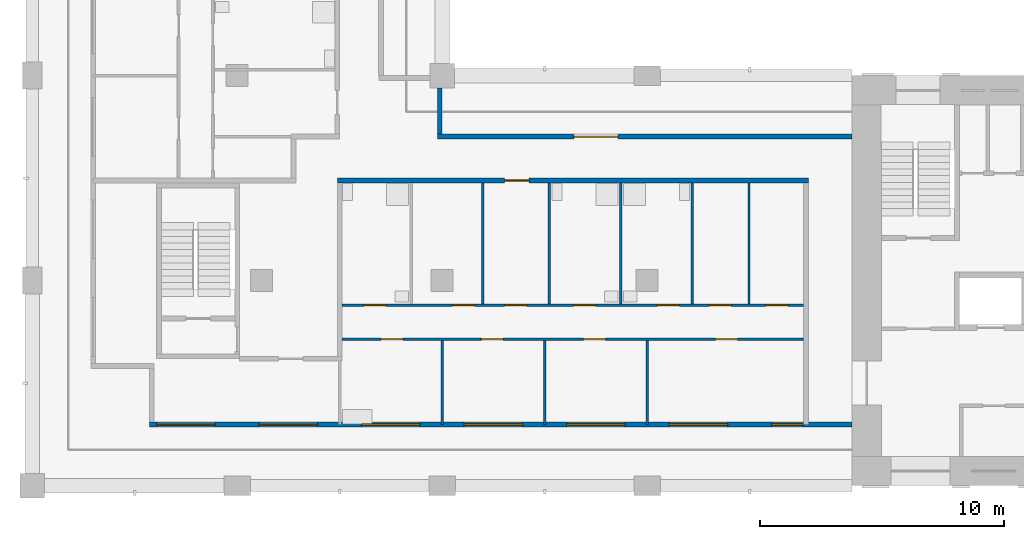
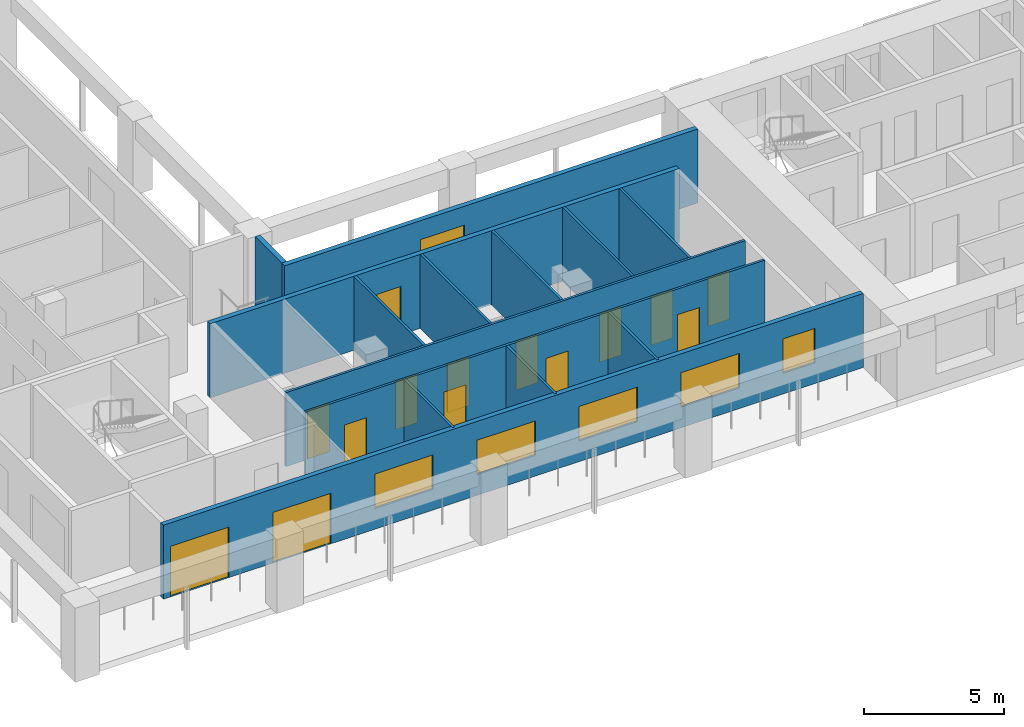
# One storey, part 2 of 10: 15 doors, 14 walls, 5 windows, 20 openings.
"""IFC4 building model written with IfcOpenShell, lengths in metres."""

from ifc_helpers import new_model, si_unit, direction, frame, frame_2d, origin, place, context, subcontext, project, spatial, rectangle, extrude, material, layer, layer_set, type_object, element, fill, save


model = new_model("IFC4")

# Units and contexts
model_context = context("Model", 3, precision=1e-05, world=origin(), true_north=direction((0.0, 1.0)))
body_context = subcontext(model_context, "Body", "Model", "MODEL_VIEW")
ifc_project = project(units=[si_unit("LENGTHUNIT", "METRE"), si_unit("AREAUNIT", "SQUARE_METRE"), si_unit("VOLUMEUNIT", "CUBIC_METRE"), si_unit("PLANEANGLEUNIT", "RADIAN"), si_unit("MASSUNIT", "GRAM", prefix="KILO")], contexts=[model_context])

# Site, building, storey
site_placement = place(None, origin())
site = spatial("IfcSite", under=ifc_project, at=site_placement, CompositionType="ELEMENT")
building_placement = place(site_placement, origin())
building = spatial("IfcBuilding", under=site, at=building_placement, Name="Vermilion Gate Residences", CompositionType="ELEMENT")
storey_placement = place(building_placement, frame((0.0, 0.0, 266.699951171875)))
storey = spatial("IfcBuildingStorey", under=building, at=storey_placement, Name="L70", CompositionType="ELEMENT", Elevation=266.699951171875)

# Wall, openings, doors, windows
ifc_material_1 = material(Name="Insulated steel stud wall with terracotta rainscreen", Category="masonry")
ifc_layer_1 = layer(ifc_material_1, 0.199951171875)
ifc_layer_set_1 = layer_set([ifc_layer_1], Name="EXTERNAL WALL 200 TERRACOTTA RAINSCREEN")
wall_type_1 = type_object("IfcWallType", Name="EXTERNAL WALL 200 TERRACOTTA RAINSCREEN", PredefinedType="SOLIDWALL", material=ifc_layer_set_1)
wall_1_placement = place(storey_placement, frame((13.199951171875, 10.89990234375, 0.0), z_axis=(0.0, 0.0, 1.0), x_axis=(1.0, 0.0, 0.0)))
wall_1 = element("IfcWall", 1, at=wall_1_placement, inside=storey, type_object=wall_type_1, Name="External wall", PredefinedType="SOLIDWALL", context=body_context, shape_type="SweptSolid", body=[
    extrude(rectangle(XDim=28.800048828125, YDim=0.199951171875, at=frame_2d((14.39990234375, 0.0))), origin(), (0.0, 0.0, 1.0), 3.219970703125),
])
opening_1_placement = place(wall_1_placement, frame((0.300048828125, 0.0, 0.0)))
opening_1 = element("IfcOpeningElement", 2, at=opening_1_placement, cuts=wall_1, Name="Opening DE70008", PredefinedType="OPENING", context=body_context, shape_type="SweptSolid", body=[
    extrude(rectangle(XDim=2.39990234375, YDim=2.199951171875, at=frame_2d((1.199951171875, 1.10009765625))), frame((0.0, 0.10986328125, 0.0), z_axis=(0.0, -1.0, 0.0), x_axis=(1.0, 0.0, 0.0)), (0.0, 0.0, 1.0), 0.219970703125),
])
opening_2_placement = place(wall_1_placement, frame((4.5, 0.0, 0.0)))
opening_2 = element("IfcOpeningElement", 3, at=opening_2_placement, cuts=wall_1, Name="Opening DE70009", PredefinedType="OPENING", context=body_context, shape_type="SweptSolid", body=[
    extrude(rectangle(XDim=2.39990234375, YDim=2.199951171875, at=frame_2d((1.199951171875, 1.10009765625))), frame((0.0, 0.10986328125, 0.0), z_axis=(0.0, -1.0, 0.0), x_axis=(1.0, 0.0, 0.0)), (0.0, 0.0, 1.0), 0.219970703125),
])
opening_3_placement = place(wall_1_placement, frame((8.699951171875, 0.0, 0.89990234375)))
opening_3 = element("IfcOpeningElement", 4, at=opening_3_placement, cuts=wall_1, Name="Opening WE70010", PredefinedType="OPENING", context=body_context, shape_type="SweptSolid", body=[
    extrude(rectangle(XDim=2.39990234375, YDim=1.5, at=frame_2d((1.199951171875, 0.75))), frame((0.0, 0.10986328125, 0.0), z_axis=(0.0, -1.0, 0.0), x_axis=(1.0, 0.0, 0.0)), (0.0, 0.0, 1.0), 0.219970703125),
])
opening_4_placement = place(wall_1_placement, frame((12.89990234375, 0.0, 0.89990234375)))
opening_4 = element("IfcOpeningElement", 5, at=opening_4_placement, cuts=wall_1, Name="Opening WE70011", PredefinedType="OPENING", context=body_context, shape_type="SweptSolid", body=[
    extrude(rectangle(XDim=2.39990234375, YDim=1.5, at=frame_2d((1.199951171875, 0.75))), frame((0.0, 0.10986328125, 0.0), z_axis=(0.0, -1.0, 0.0), x_axis=(1.0, 0.0, 0.0)), (0.0, 0.0, 1.0), 0.219970703125),
])
opening_5_placement = place(wall_1_placement, frame((17.10009765625, 0.0, 0.89990234375)))
opening_5 = element("IfcOpeningElement", 6, at=opening_5_placement, cuts=wall_1, Name="Opening WE70012", PredefinedType="OPENING", context=body_context, shape_type="SweptSolid", body=[
    extrude(rectangle(XDim=2.39990234375, YDim=1.5, at=frame_2d((1.199951171875, 0.75))), frame((0.0, 0.10986328125, 0.0), z_axis=(0.0, -1.0, 0.0), x_axis=(1.0, 0.0, 0.0)), (0.0, 0.0, 1.0), 0.219970703125),
])
opening_6_placement = place(wall_1_placement, frame((21.300048828125, 0.0, 0.89990234375)))
opening_6 = element("IfcOpeningElement", 7, at=opening_6_placement, cuts=wall_1, Name="Opening WE70013", PredefinedType="OPENING", context=body_context, shape_type="SweptSolid", body=[
    extrude(rectangle(XDim=2.39990234375, YDim=1.5, at=frame_2d((1.199951171875, 0.75))), frame((0.0, 0.10986328125, 0.0), z_axis=(0.0, -1.0, 0.0), x_axis=(1.0, 0.0, 0.0)), (0.0, 0.0, 1.0), 0.219970703125),
])
opening_7_placement = place(wall_1_placement, frame((25.5, 0.0, 0.89990234375)))
opening_7 = element("IfcOpeningElement", 8, at=opening_7_placement, cuts=wall_1, Name="Opening WE70014", PredefinedType="OPENING", context=body_context, shape_type="SweptSolid", body=[
    extrude(rectangle(XDim=1.300048828125, YDim=1.5, at=frame_2d((0.64990234375, 0.75))), frame((0.0, 0.10986328125, 0.0), z_axis=(0.0, -1.0, 0.0), x_axis=(1.0, 0.0, 0.0)), (0.0, 0.0, 1.0), 0.219970703125),
])
ifc_material_2 = material(Name="Aluminium and clear glass", Category="aluminium")
door_type_1 = type_object("IfcDoorType", Name="SLIDING GLAZED DOOR 2400 X 2200", OperationType="DOUBLE_DOOR_SLIDING", PredefinedType="DOOR", material=ifc_material_2)
door_1_placement = place(opening_1_placement, origin())
door_1 = element("IfcDoor", 9, at=door_1_placement, inside=storey, type_object=door_type_1, Name="Loggia sliding door", OperationType="DOUBLE_DOOR_SLIDING", OverallHeight=2.199951171875, OverallWidth=2.39990234375, PredefinedType="DOOR", context=body_context, shape_type="SweptSolid", body=[
    extrude(rectangle(XDim=2.39990234375, YDim=2.199951171875, at=frame_2d((1.199951171875, 1.10009765625))), frame((0.0, 0.02490234375, 0.0), z_axis=(0.0, -1.0, 0.0), x_axis=(1.0, 0.0, 0.0)), (0.0, 0.0, 1.0), 0.050048828125),
])
fill(opening_1, door_1)
door_2_placement = place(opening_2_placement, origin())
door_2 = element("IfcDoor", 10, at=door_2_placement, inside=storey, type_object=door_type_1, Name="Loggia sliding door", OperationType="DOUBLE_DOOR_SLIDING", OverallHeight=2.199951171875, OverallWidth=2.39990234375, PredefinedType="DOOR", context=body_context, shape_type="SweptSolid", body=[
    extrude(rectangle(XDim=2.39990234375, YDim=2.199951171875, at=frame_2d((1.199951171875, 1.10009765625))), frame((0.0, 0.02490234375, 0.0), z_axis=(0.0, -1.0, 0.0), x_axis=(1.0, 0.0, 0.0)), (0.0, 0.0, 1.0), 0.050048828125),
])
fill(opening_2, door_2)
ifc_material_3 = material(Name="Aluminium and clear glass", Category="aluminium")
window_type_1 = type_object("IfcWindowType", Name="WINDOW 1300 X 1500", PartitioningType="SINGLE_PANEL", PredefinedType="WINDOW", material=ifc_material_3)
window_1_placement = place(opening_7_placement, origin())
window_1 = element("IfcWindow", 11, at=window_1_placement, inside=storey, type_object=window_type_1, Name="Window", OverallHeight=1.5, OverallWidth=1.300048828125, PartitioningType="SINGLE_PANEL", PredefinedType="WINDOW", context=body_context, shape_type="SweptSolid", body=[
    extrude(rectangle(XDim=1.300048828125, YDim=1.5, at=frame_2d((0.64990234375, 0.75))), frame((0.0, 0.030029296875, 0.0), z_axis=(0.0, -1.0, 0.0), x_axis=(1.0, 0.0, 0.0)), (0.0, 0.0, 1.0), 0.06005859375),
])
fill(opening_7, window_1)
ifc_material_4 = material(Name="Aluminium and clear glass", Category="aluminium")
window_type_2 = type_object("IfcWindowType", Name="WINDOW 2400 X 1500", PartitioningType="SINGLE_PANEL", PredefinedType="WINDOW", material=ifc_material_4)
window_2_placement = place(opening_3_placement, origin())
window_2 = element("IfcWindow", 12, at=window_2_placement, inside=storey, type_object=window_type_2, Name="Window", OverallHeight=1.5, OverallWidth=2.39990234375, PartitioningType="SINGLE_PANEL", PredefinedType="WINDOW", context=body_context, shape_type="SweptSolid", body=[
    extrude(rectangle(XDim=2.39990234375, YDim=1.5, at=frame_2d((1.199951171875, 0.75))), frame((0.0, 0.030029296875, 0.0), z_axis=(0.0, -1.0, 0.0), x_axis=(1.0, 0.0, 0.0)), (0.0, 0.0, 1.0), 0.06005859375),
])
fill(opening_3, window_2)
window_3_placement = place(opening_4_placement, origin())
window_3 = element("IfcWindow", 13, at=window_3_placement, inside=storey, type_object=window_type_2, Name="Window", OverallHeight=1.5, OverallWidth=2.39990234375, PartitioningType="SINGLE_PANEL", PredefinedType="WINDOW", context=body_context, shape_type="SweptSolid", body=[
    extrude(rectangle(XDim=2.39990234375, YDim=1.5, at=frame_2d((1.199951171875, 0.75))), frame((0.0, 0.030029296875, 0.0), z_axis=(0.0, -1.0, 0.0), x_axis=(1.0, 0.0, 0.0)), (0.0, 0.0, 1.0), 0.06005859375),
])
fill(opening_4, window_3)
window_4_placement = place(opening_5_placement, origin())
window_4 = element("IfcWindow", 14, at=window_4_placement, inside=storey, type_object=window_type_2, Name="Window", OverallHeight=1.5, OverallWidth=2.39990234375, PartitioningType="SINGLE_PANEL", PredefinedType="WINDOW", context=body_context, shape_type="SweptSolid", body=[
    extrude(rectangle(XDim=2.39990234375, YDim=1.5, at=frame_2d((1.199951171875, 0.75))), frame((0.0, 0.030029296875, 0.0), z_axis=(0.0, -1.0, 0.0), x_axis=(1.0, 0.0, 0.0)), (0.0, 0.0, 1.0), 0.06005859375),
])
fill(opening_5, window_4)
window_5_placement = place(opening_6_placement, origin())
window_5 = element("IfcWindow", 15, at=window_5_placement, inside=storey, type_object=window_type_2, Name="Window", OverallHeight=1.5, OverallWidth=2.39990234375, PartitioningType="SINGLE_PANEL", PredefinedType="WINDOW", context=body_context, shape_type="SweptSolid", body=[
    extrude(rectangle(XDim=2.39990234375, YDim=1.5, at=frame_2d((1.199951171875, 0.75))), frame((0.0, 0.030029296875, 0.0), z_axis=(0.0, -1.0, 0.0), x_axis=(1.0, 0.0, 0.0)), (0.0, 0.0, 1.0), 0.06005859375),
])
fill(opening_6, window_5)

# Wall, opening, door
wall_2_placement = place(storey_placement, frame((42.0, 22.699951171875, 0.0), z_axis=(0.0, 0.0, 1.0), x_axis=(-1.0, 0.0, 0.0)))
wall_2 = element("IfcWall", 16, at=wall_2_placement, inside=storey, type_object=wall_type_1, Name="External wall", PredefinedType="SOLIDWALL", context=body_context, shape_type="SweptSolid", body=[
    extrude(rectangle(XDim=17.0, YDim=0.199951171875, at=frame_2d((8.5, 0.0))), origin(), (0.0, 0.0, 1.0), 3.219970703125),
])
opening_8_placement = place(wall_2_placement, frame((9.60009765625, 0.0, 0.0)))
opening_8 = element("IfcOpeningElement", 17, at=opening_8_placement, cuts=wall_2, Name="Opening DE70015", PredefinedType="OPENING", context=body_context, shape_type="SweptSolid", body=[
    extrude(rectangle(XDim=1.800048828125, YDim=2.39990234375, at=frame_2d((0.89990234375, 1.199951171875))), frame((0.0, 0.10986328125, 0.0), z_axis=(0.0, -1.0, 0.0), x_axis=(1.0, 0.0, 0.0)), (0.0, 0.0, 1.0), 0.219970703125),
])
ifc_material_5 = material(Name="Aluminium and clear glass", Category="aluminium")
door_type_2 = type_object("IfcDoorType", Name="GLAZED EXTERNAL DOOR 1800 X 2400", OperationType="DOUBLE_DOOR_SINGLE_SWING", PredefinedType="DOOR", material=ifc_material_5)
door_3_placement = place(opening_8_placement, frame((1.800048828125, 0.0, 0.0), z_axis=(0.0, 0.0, 1.0), x_axis=(-1.0, 0.0, 0.0)))
door_3 = element("IfcDoor", 18, at=door_3_placement, inside=storey, type_object=door_type_2, Name="Gallery door", OperationType="DOUBLE_DOOR_SINGLE_SWING", OverallHeight=2.39990234375, OverallWidth=1.800048828125, PredefinedType="DOOR", context=body_context, shape_type="SweptSolid", body=[
    extrude(rectangle(XDim=1.800048828125, YDim=2.39990234375, at=frame_2d((0.89990234375, 1.199951171875))), frame((0.0, 0.02490234375, 0.0), z_axis=(0.0, -1.0, 0.0), x_axis=(1.0, 0.0, 0.0)), (0.0, 0.0, 1.0), 0.050048828125),
])
fill(opening_8, door_3)

# Wall
wall_3_placement = place(storey_placement, frame((25.10009765625, 22.800048828125, 0.0), z_axis=(0.0, 0.0, 1.0), x_axis=(0.0, 1.0, 0.0)))
element("IfcWall", 19, at=wall_3_placement, inside=storey, type_object=wall_type_1, Name="External wall", PredefinedType="SOLIDWALL", context=body_context, shape_type="SweptSolid", body=[
    extrude(rectangle(XDim=1.89990234375, YDim=0.199951171875, at=frame_2d((0.949951171875, 0.0))), origin(), (0.0, 0.0, 1.0), 3.219970703125),
])

# Wall, openings, doors
ifc_material_6 = material(Name="Plasterboard on steel studs", Category="steel")
ifc_layer_2 = layer(ifc_material_6, 0.10009765625)
ifc_layer_set_2 = layer_set([ifc_layer_2], Name="PARTITION 100")
wall_type_2 = type_object("IfcWallType", Name="PARTITION 100", PredefinedType="PARTITIONING", material=ifc_layer_set_2)
wall_4_placement = place(storey_placement, frame((21.10009765625, 14.39990234375, 0.0), z_axis=(0.0, 0.0, 1.0), x_axis=(1.0, 0.0, 0.0)))
wall_4 = element("IfcWall", 20, at=wall_4_placement, inside=storey, type_object=wall_type_2, Name="Partition", PredefinedType="PARTITIONING", context=body_context, shape_type="SweptSolid", body=[
    extrude(rectangle(XDim=18.89990234375, YDim=0.10009765625, at=frame_2d((9.449951171875, 0.0))), origin(), (0.0, 0.0, 1.0), 3.219970703125),
])
opening_9_placement = place(wall_4_placement, frame((1.60009765625, 0.0, 0.0)))
opening_9 = element("IfcOpeningElement", 21, at=opening_9_placement, cuts=wall_4, Name="Opening DA70002", PredefinedType="OPENING", context=body_context, shape_type="SweptSolid", body=[
    extrude(rectangle(XDim=0.89990234375, YDim=2.10009765625, at=frame_2d((0.449951171875, 1.050048828125))), frame((0.0, 0.06005859375, 0.0), z_axis=(0.0, -1.0, 0.0), x_axis=(1.0, 0.0, 0.0)), (0.0, 0.0, 1.0), 0.1201171875),
])
opening_10_placement = place(wall_4_placement, frame((5.699951171875, 0.0, 0.0)))
opening_10 = element("IfcOpeningElement", 22, at=opening_10_placement, cuts=wall_4, Name="Opening DA70003", PredefinedType="OPENING", context=body_context, shape_type="SweptSolid", body=[
    extrude(rectangle(XDim=0.89990234375, YDim=2.10009765625, at=frame_2d((0.449951171875, 1.050048828125))), frame((0.0, 0.06005859375, 0.0), z_axis=(0.0, -1.0, 0.0), x_axis=(1.0, 0.0, 0.0)), (0.0, 0.0, 1.0), 0.1201171875),
])
opening_11_placement = place(wall_4_placement, frame((9.89990234375, 0.0, 0.0)))
opening_11 = element("IfcOpeningElement", 23, at=opening_11_placement, cuts=wall_4, Name="Opening DA70004", PredefinedType="OPENING", context=body_context, shape_type="SweptSolid", body=[
    extrude(rectangle(XDim=0.89990234375, YDim=2.10009765625, at=frame_2d((0.449951171875, 1.050048828125))), frame((0.0, 0.06005859375, 0.0), z_axis=(0.0, -1.0, 0.0), x_axis=(1.0, 0.0, 0.0)), (0.0, 0.0, 1.0), 0.1201171875),
])
opening_12_placement = place(wall_4_placement, frame((15.300048828125, 0.0, 0.0)))
opening_12 = element("IfcOpeningElement", 24, at=opening_12_placement, cuts=wall_4, Name="Opening DA70005", PredefinedType="OPENING", context=body_context, shape_type="SweptSolid", body=[
    extrude(rectangle(XDim=0.89990234375, YDim=2.10009765625, at=frame_2d((0.449951171875, 1.050048828125))), frame((0.0, 0.06005859375, 0.0), z_axis=(0.0, -1.0, 0.0), x_axis=(1.0, 0.0, 0.0)), (0.0, 0.0, 1.0), 0.1201171875),
])
ifc_material_7 = material(Name="Timber", Category="wood")
door_type_3 = type_object("IfcDoorType", Name="INTERIOR DOOR 900 X 2100", OperationType="SINGLE_SWING_LEFT", PredefinedType="DOOR", material=ifc_material_7)
door_4_placement = place(opening_9_placement, frame((0.89990234375, 0.0, 0.0), z_axis=(0.0, 0.0, 1.0), x_axis=(-1.0, 0.0, 0.0)))
door_4 = element("IfcDoor", 25, at=door_4_placement, inside=storey, type_object=door_type_3, Name="Interior door", OperationType="SINGLE_SWING_LEFT", OverallHeight=2.10009765625, OverallWidth=0.89990234375, PredefinedType="DOOR", context=body_context, shape_type="SweptSolid", body=[
    extrude(rectangle(XDim=0.89990234375, YDim=2.10009765625, at=frame_2d((0.449951171875, 1.050048828125))), frame((0.0, 0.02490234375, 0.0), z_axis=(0.0, -1.0, 0.0), x_axis=(1.0, 0.0, 0.0)), (0.0, 0.0, 1.0), 0.050048828125),
])
fill(opening_9, door_4)
door_5_placement = place(opening_10_placement, frame((0.89990234375, 0.0, 0.0), z_axis=(0.0, 0.0, 1.0), x_axis=(-1.0, 0.0, 0.0)))
door_5 = element("IfcDoor", 26, at=door_5_placement, inside=storey, type_object=door_type_3, Name="Interior door", OperationType="SINGLE_SWING_RIGHT", OverallHeight=2.10009765625, OverallWidth=0.89990234375, PredefinedType="DOOR", context=body_context, shape_type="SweptSolid", body=[
    extrude(rectangle(XDim=0.89990234375, YDim=2.10009765625, at=frame_2d((0.449951171875, 1.050048828125))), frame((0.0, 0.02490234375, 0.0), z_axis=(0.0, -1.0, 0.0), x_axis=(1.0, 0.0, 0.0)), (0.0, 0.0, 1.0), 0.050048828125),
])
fill(opening_10, door_5)
door_6_placement = place(opening_11_placement, frame((0.89990234375, 0.0, 0.0), z_axis=(0.0, 0.0, 1.0), x_axis=(-1.0, 0.0, 0.0)))
door_6 = element("IfcDoor", 27, at=door_6_placement, inside=storey, type_object=door_type_3, Name="Interior door", OperationType="SINGLE_SWING_RIGHT", OverallHeight=2.10009765625, OverallWidth=0.89990234375, PredefinedType="DOOR", context=body_context, shape_type="SweptSolid", body=[
    extrude(rectangle(XDim=0.89990234375, YDim=2.10009765625, at=frame_2d((0.449951171875, 1.050048828125))), frame((0.0, 0.02490234375, 0.0), z_axis=(0.0, -1.0, 0.0), x_axis=(1.0, 0.0, 0.0)), (0.0, 0.0, 1.0), 0.050048828125),
])
fill(opening_11, door_6)
door_7_placement = place(opening_12_placement, frame((0.89990234375, 0.0, 0.0), z_axis=(0.0, 0.0, 1.0), x_axis=(-1.0, 0.0, 0.0)))
door_7 = element("IfcDoor", 28, at=door_7_placement, inside=storey, type_object=door_type_3, Name="Interior door", OperationType="SINGLE_SWING_LEFT", OverallHeight=2.10009765625, OverallWidth=0.89990234375, PredefinedType="DOOR", context=body_context, shape_type="SweptSolid", body=[
    extrude(rectangle(XDim=0.89990234375, YDim=2.10009765625, at=frame_2d((0.449951171875, 1.050048828125))), frame((0.0, 0.02490234375, 0.0), z_axis=(0.0, -1.0, 0.0), x_axis=(1.0, 0.0, 0.0)), (0.0, 0.0, 1.0), 0.050048828125),
])
fill(opening_12, door_7)

wall_5_placement = place(storey_placement, frame((21.10009765625, 15.800048828125, 0.0), z_axis=(0.0, 0.0, 1.0), x_axis=(1.0, 0.0, 0.0)))
wall_5 = element("IfcWall", 29, at=wall_5_placement, inside=storey, type_object=wall_type_2, Name="Partition", PredefinedType="PARTITIONING", context=body_context, shape_type="SweptSolid", body=[
    extrude(rectangle(XDim=18.89990234375, YDim=0.10009765625, at=frame_2d((9.449951171875, 0.0))), origin(), (0.0, 0.0, 1.0), 3.219970703125),
])
opening_13_placement = place(wall_5_placement, frame((6.656982421875, 0.0, 0.0)))
opening_13 = element("IfcOpeningElement", 30, at=opening_13_placement, cuts=wall_5, Name="Opening DA70006", PredefinedType="OPENING", context=body_context, shape_type="SweptSolid", body=[
    extrude(rectangle(XDim=0.89990234375, YDim=2.10009765625, at=frame_2d((0.449951171875, 1.050048828125))), frame((0.0, 0.06005859375, 0.0), z_axis=(0.0, -1.0, 0.0), x_axis=(1.0, 0.0, 0.0)), (0.0, 0.0, 1.0), 0.1201171875),
])
opening_14_placement = place(wall_5_placement, frame((0.89990234375, 0.0, 0.0)))
opening_14 = element("IfcOpeningElement", 31, at=opening_14_placement, cuts=wall_5, Name="Opening DA70007", PredefinedType="OPENING", context=body_context, shape_type="SweptSolid", body=[
    extrude(rectangle(XDim=0.89990234375, YDim=2.10009765625, at=frame_2d((0.449951171875, 1.050048828125))), frame((0.0, 0.06005859375, 0.0), z_axis=(0.0, -1.0, 0.0), x_axis=(1.0, 0.0, 0.0)), (0.0, 0.0, 1.0), 0.1201171875),
])
opening_15_placement = place(wall_5_placement, frame((4.529052734375, 0.0, 0.0)))
opening_15 = element("IfcOpeningElement", 32, at=opening_15_placement, cuts=wall_5, Name="Opening DA70008", PredefinedType="OPENING", context=body_context, shape_type="SweptSolid", body=[
    extrude(rectangle(XDim=0.89990234375, YDim=2.10009765625, at=frame_2d((0.449951171875, 1.050048828125))), frame((0.0, 0.06005859375, 0.0), z_axis=(0.0, -1.0, 0.0), x_axis=(1.0, 0.0, 0.0)), (0.0, 0.0, 1.0), 0.1201171875),
])
opening_16_placement = place(wall_5_placement, frame((9.486083984375, 0.0, 0.0)))
opening_16 = element("IfcOpeningElement", 33, at=opening_16_placement, cuts=wall_5, Name="Opening DA70009", PredefinedType="OPENING", context=body_context, shape_type="SweptSolid", body=[
    extrude(rectangle(XDim=0.89990234375, YDim=2.10009765625, at=frame_2d((0.449951171875, 1.050048828125))), frame((0.0, 0.06005859375, 0.0), z_axis=(0.0, -1.0, 0.0), x_axis=(1.0, 0.0, 0.0)), (0.0, 0.0, 1.0), 0.1201171875),
])
opening_17_placement = place(wall_5_placement, frame((12.9140625, 0.0, 0.0)))
opening_17 = element("IfcOpeningElement", 34, at=opening_17_placement, cuts=wall_5, Name="Opening DA70010", PredefinedType="OPENING", context=body_context, shape_type="SweptSolid", body=[
    extrude(rectangle(XDim=0.89990234375, YDim=2.10009765625, at=frame_2d((0.449951171875, 1.050048828125))), frame((0.0, 0.06005859375, 0.0), z_axis=(0.0, -1.0, 0.0), x_axis=(1.0, 0.0, 0.0)), (0.0, 0.0, 1.0), 0.1201171875),
])
opening_18_placement = place(wall_5_placement, frame((15.04296875, 0.0, 0.0)))
opening_18 = element("IfcOpeningElement", 35, at=opening_18_placement, cuts=wall_5, Name="Opening DA70011", PredefinedType="OPENING", context=body_context, shape_type="SweptSolid", body=[
    extrude(rectangle(XDim=0.89990234375, YDim=2.10009765625, at=frame_2d((0.449951171875, 1.050048828125))), frame((0.0, 0.06005859375, 0.0), z_axis=(0.0, -1.0, 0.0), x_axis=(1.0, 0.0, 0.0)), (0.0, 0.0, 1.0), 0.1201171875),
])
opening_19_placement = place(wall_5_placement, frame((17.3720703125, 0.0, 0.0)))
opening_19 = element("IfcOpeningElement", 36, at=opening_19_placement, cuts=wall_5, Name="Opening DA70012", PredefinedType="OPENING", context=body_context, shape_type="SweptSolid", body=[
    extrude(rectangle(XDim=0.89990234375, YDim=2.10009765625, at=frame_2d((0.449951171875, 1.050048828125))), frame((0.0, 0.06005859375, 0.0), z_axis=(0.0, -1.0, 0.0), x_axis=(1.0, 0.0, 0.0)), (0.0, 0.0, 1.0), 0.1201171875),
])
door_8_placement = place(opening_13_placement, origin())
door_8 = element("IfcDoor", 37, at=door_8_placement, inside=storey, type_object=door_type_3, Name="Interior door", OperationType="SINGLE_SWING_LEFT", OverallHeight=2.10009765625, OverallWidth=0.89990234375, PredefinedType="DOOR", context=body_context, shape_type="SweptSolid", body=[
    extrude(rectangle(XDim=0.89990234375, YDim=2.10009765625, at=frame_2d((0.449951171875, 1.050048828125))), frame((0.0, 0.02490234375, 0.0), z_axis=(0.0, -1.0, 0.0), x_axis=(1.0, 0.0, 0.0)), (0.0, 0.0, 1.0), 0.050048828125),
])
fill(opening_13, door_8)
door_9_placement = place(opening_14_placement, origin())
door_9 = element("IfcDoor", 38, at=door_9_placement, inside=storey, type_object=door_type_3, Name="Interior door", OperationType="SINGLE_SWING_RIGHT", OverallHeight=2.10009765625, OverallWidth=0.89990234375, PredefinedType="DOOR", context=body_context, shape_type="SweptSolid", body=[
    extrude(rectangle(XDim=0.89990234375, YDim=2.10009765625, at=frame_2d((0.449951171875, 1.050048828125))), frame((0.0, 0.02490234375, 0.0), z_axis=(0.0, -1.0, 0.0), x_axis=(1.0, 0.0, 0.0)), (0.0, 0.0, 1.0), 0.050048828125),
])
fill(opening_14, door_9)
door_10_placement = place(opening_15_placement, origin())
door_10 = element("IfcDoor", 39, at=door_10_placement, inside=storey, type_object=door_type_3, Name="Interior door", OperationType="SINGLE_SWING_RIGHT", OverallHeight=2.10009765625, OverallWidth=0.89990234375, PredefinedType="DOOR", context=body_context, shape_type="SweptSolid", body=[
    extrude(rectangle(XDim=0.89990234375, YDim=2.10009765625, at=frame_2d((0.449951171875, 1.050048828125))), frame((0.0, 0.02490234375, 0.0), z_axis=(0.0, -1.0, 0.0), x_axis=(1.0, 0.0, 0.0)), (0.0, 0.0, 1.0), 0.050048828125),
])
fill(opening_15, door_10)
door_11_placement = place(opening_16_placement, origin())
door_11 = element("IfcDoor", 40, at=door_11_placement, inside=storey, type_object=door_type_3, Name="Interior door", OperationType="SINGLE_SWING_RIGHT", OverallHeight=2.10009765625, OverallWidth=0.89990234375, PredefinedType="DOOR", context=body_context, shape_type="SweptSolid", body=[
    extrude(rectangle(XDim=0.89990234375, YDim=2.10009765625, at=frame_2d((0.449951171875, 1.050048828125))), frame((0.0, 0.02490234375, 0.0), z_axis=(0.0, -1.0, 0.0), x_axis=(1.0, 0.0, 0.0)), (0.0, 0.0, 1.0), 0.050048828125),
])
fill(opening_16, door_11)
door_12_placement = place(opening_17_placement, origin())
door_12 = element("IfcDoor", 41, at=door_12_placement, inside=storey, type_object=door_type_3, Name="Interior door", OperationType="SINGLE_SWING_RIGHT", OverallHeight=2.10009765625, OverallWidth=0.89990234375, PredefinedType="DOOR", context=body_context, shape_type="SweptSolid", body=[
    extrude(rectangle(XDim=0.89990234375, YDim=2.10009765625, at=frame_2d((0.449951171875, 1.050048828125))), frame((0.0, 0.02490234375, 0.0), z_axis=(0.0, -1.0, 0.0), x_axis=(1.0, 0.0, 0.0)), (0.0, 0.0, 1.0), 0.050048828125),
])
fill(opening_17, door_12)
door_13_placement = place(opening_18_placement, origin())
door_13 = element("IfcDoor", 42, at=door_13_placement, inside=storey, type_object=door_type_3, Name="Interior door", OperationType="SINGLE_SWING_LEFT", OverallHeight=2.10009765625, OverallWidth=0.89990234375, PredefinedType="DOOR", context=body_context, shape_type="SweptSolid", body=[
    extrude(rectangle(XDim=0.89990234375, YDim=2.10009765625, at=frame_2d((0.449951171875, 1.050048828125))), frame((0.0, 0.02490234375, 0.0), z_axis=(0.0, -1.0, 0.0), x_axis=(1.0, 0.0, 0.0)), (0.0, 0.0, 1.0), 0.050048828125),
])
fill(opening_18, door_13)
door_14_placement = place(opening_19_placement, origin())
door_14 = element("IfcDoor", 43, at=door_14_placement, inside=storey, type_object=door_type_3, Name="Interior door", OperationType="SINGLE_SWING_RIGHT", OverallHeight=2.10009765625, OverallWidth=0.89990234375, PredefinedType="DOOR", context=body_context, shape_type="SweptSolid", body=[
    extrude(rectangle(XDim=0.89990234375, YDim=2.10009765625, at=frame_2d((0.449951171875, 1.050048828125))), frame((0.0, 0.02490234375, 0.0), z_axis=(0.0, -1.0, 0.0), x_axis=(1.0, 0.0, 0.0)), (0.0, 0.0, 1.0), 0.050048828125),
])
fill(opening_19, door_14)

# Walls
wall_6_placement = place(storey_placement, frame((25.199951171875, 10.89990234375, 0.0), z_axis=(0.0, 0.0, 1.0), x_axis=(0.0, 1.0, 0.0)))
element("IfcWall", 44, at=wall_6_placement, inside=storey, type_object=wall_type_2, Name="Partition", PredefinedType="PARTITIONING", context=body_context, shape_type="SweptSolid", body=[
    extrude(rectangle(XDim=3.4501953125, YDim=0.10009765625, at=frame_2d((1.72509765625, 0.0))), origin(), (0.0, 0.0, 1.0), 3.219970703125),
])
wall_7_placement = place(storey_placement, frame((26.85693359375, 15.85009765625, 0.0), z_axis=(0.0, 0.0, 1.0), x_axis=(0.0, 1.0, 0.0)))
element("IfcWall", 45, at=wall_7_placement, inside=storey, type_object=wall_type_2, Name="Partition", PredefinedType="PARTITIONING", context=body_context, shape_type="SweptSolid", body=[
    extrude(rectangle(XDim=4.949951171875, YDim=0.10009765625, at=frame_2d((2.47509765625, 0.0))), origin(), (0.0, 0.0, 1.0), 3.219970703125),
])
wall_8_placement = place(storey_placement, frame((29.39990234375, 10.89990234375, 0.0), z_axis=(0.0, 0.0, 1.0), x_axis=(0.0, 1.0, 0.0)))
element("IfcWall", 46, at=wall_8_placement, inside=storey, type_object=wall_type_2, Name="Partition", PredefinedType="PARTITIONING", context=body_context, shape_type="SweptSolid", body=[
    extrude(rectangle(XDim=3.4501953125, YDim=0.10009765625, at=frame_2d((1.72509765625, 0.0))), origin(), (0.0, 0.0, 1.0), 3.219970703125),
])
for number, where, z_axis, x_axis, name in (
    (47, (29.5859375, 15.85009765625, 0.0), (0.0, 0.0, 1.0), (0.0, 1.0, 0.0), "Partition"),
    (48, (32.513916015625, 15.85009765625, 0.0), (0.0, 0.0, 1.0), (0.0, 1.0, 0.0), "Partition"),
):
    element("IfcWall", number, at=place(storey_placement, frame(where, z_axis=z_axis, x_axis=x_axis)), inside=storey, type_object=wall_type_2, Name=name, PredefinedType="PARTITIONING", context=body_context, shape_type="SweptSolid", body=[
        extrude(rectangle(XDim=4.949951171875, YDim=0.10009765625, at=frame_2d((2.47509765625, 0.0))), origin(), (0.0, 0.0, 1.0), 3.219970703125),
    ])
wall_9_placement = place(storey_placement, frame((33.60009765625, 10.89990234375, 0.0), z_axis=(0.0, 0.0, 1.0), x_axis=(0.0, 1.0, 0.0)))
element("IfcWall", 49, at=wall_9_placement, inside=storey, type_object=wall_type_2, Name="Partition", PredefinedType="PARTITIONING", context=body_context, shape_type="SweptSolid", body=[
    extrude(rectangle(XDim=3.4501953125, YDim=0.10009765625, at=frame_2d((1.72509765625, 0.0))), origin(), (0.0, 0.0, 1.0), 3.219970703125),
])
for number, where, z_axis, x_axis, name in (
    (50, (35.443115234375, 15.85009765625, 0.0), (0.0, 0.0, 1.0), (0.0, 1.0, 0.0), "Partition"),
    (51, (37.77197265625, 15.85009765625, 0.0), (0.0, 0.0, 1.0), (0.0, 1.0, 0.0), "Partition"),
):
    element("IfcWall", number, at=place(storey_placement, frame(where, z_axis=z_axis, x_axis=x_axis)), inside=storey, type_object=wall_type_2, Name=name, PredefinedType="PARTITIONING", context=body_context, shape_type="SweptSolid", body=[
        extrude(rectangle(XDim=4.949951171875, YDim=0.10009765625, at=frame_2d((2.47509765625, 0.0))), origin(), (0.0, 0.0, 1.0), 3.219970703125),
    ])

# Wall, opening, door
ifc_material_8 = material(Name="Fire-rated plasterboard on steel studs", Category="steel")
ifc_layer_3 = layer(ifc_material_8, 0.199951171875)
ifc_layer_set_3 = layer_set([ifc_layer_3], Name="PARTY WALL 200 EI 120")
wall_type_3 = type_object("IfcWallType", Name="PARTY WALL 200 EI 120", PredefinedType="PARTITIONING", material=ifc_layer_set_3)
wall_10_placement = place(storey_placement, frame((20.89990234375, 20.89990234375, 0.0), z_axis=(0.0, 0.0, 1.0), x_axis=(1.0, 0.0, 0.0)))
wall_10 = element("IfcWall", 52, at=wall_10_placement, inside=storey, type_object=wall_type_3, Name="Party and corridor wall", PredefinedType="PARTITIONING", context=body_context, shape_type="SweptSolid", body=[
    extrude(rectangle(XDim=19.300048828125, YDim=0.199951171875, at=frame_2d((9.64990234375, 0.0))), origin(), (0.0, 0.0, 1.0), 3.219970703125),
])
opening_20_placement = place(wall_10_placement, frame((6.85693359375, 0.0, 0.0)))
opening_20 = element("IfcOpeningElement", 53, at=opening_20_placement, cuts=wall_10, Name="Opening DA70013", PredefinedType="OPENING", context=body_context, shape_type="SweptSolid", body=[
    extrude(rectangle(XDim=1.0, YDim=2.10009765625, at=frame_2d((0.5, 1.050048828125))), frame((0.0, 0.10986328125, 0.0), z_axis=(0.0, -1.0, 0.0), x_axis=(1.0, 0.0, 0.0)), (0.0, 0.0, 1.0), 0.219970703125),
])
ifc_material_9 = material(Name="Steel", Category="steel")
door_type_4 = type_object("IfcDoorType", Name="ENTRANCE DOOR 1000 X 2100 FD30", OperationType="SINGLE_SWING_LEFT", PredefinedType="DOOR", material=ifc_material_9)
door_15_placement = place(opening_20_placement, frame((1.0, 0.0, 0.0), z_axis=(0.0, 0.0, 1.0), x_axis=(-1.0, 0.0, 0.0)))
door_15 = element("IfcDoor", 54, at=door_15_placement, inside=storey, type_object=door_type_4, Name="Entrance door", OperationType="SINGLE_SWING_LEFT", OverallHeight=2.10009765625, OverallWidth=1.0, PredefinedType="DOOR", context=body_context, shape_type="SweptSolid", body=[
    extrude(rectangle(XDim=1.0, YDim=2.10009765625, at=frame_2d((0.5, 1.050048828125))), frame((0.0, 0.02490234375, 0.0), z_axis=(0.0, -1.0, 0.0), x_axis=(1.0, 0.0, 0.0)), (0.0, 0.0, 1.0), 0.050048828125),
])
fill(opening_20, door_15)

save(model, "model.ifc")
